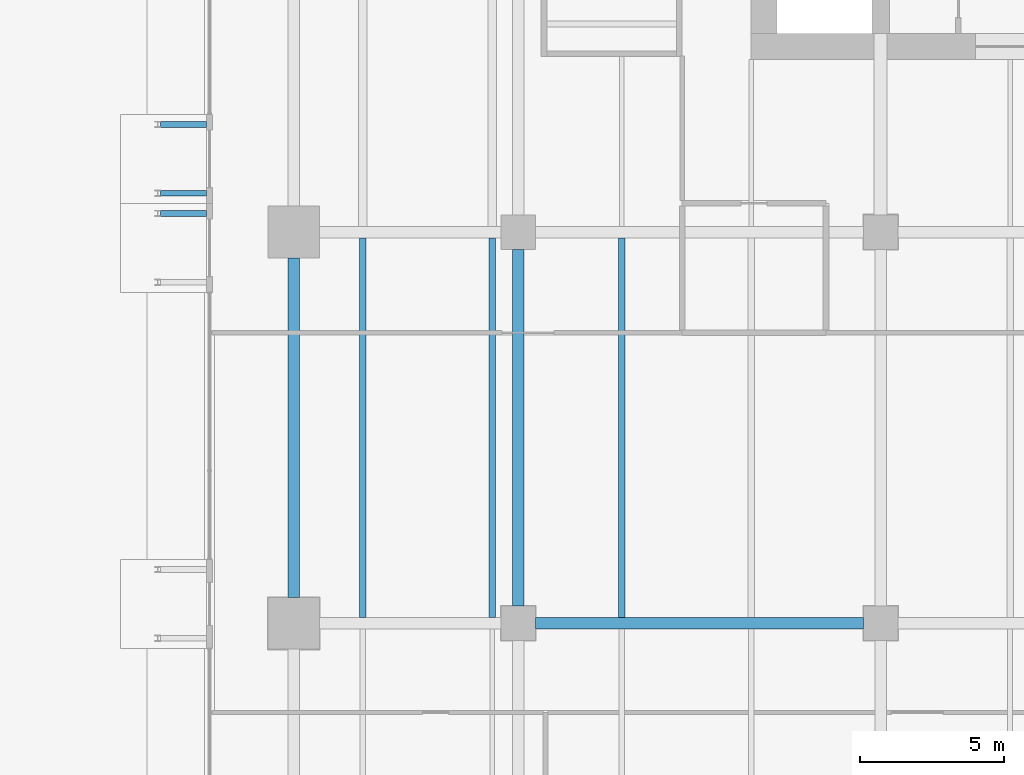
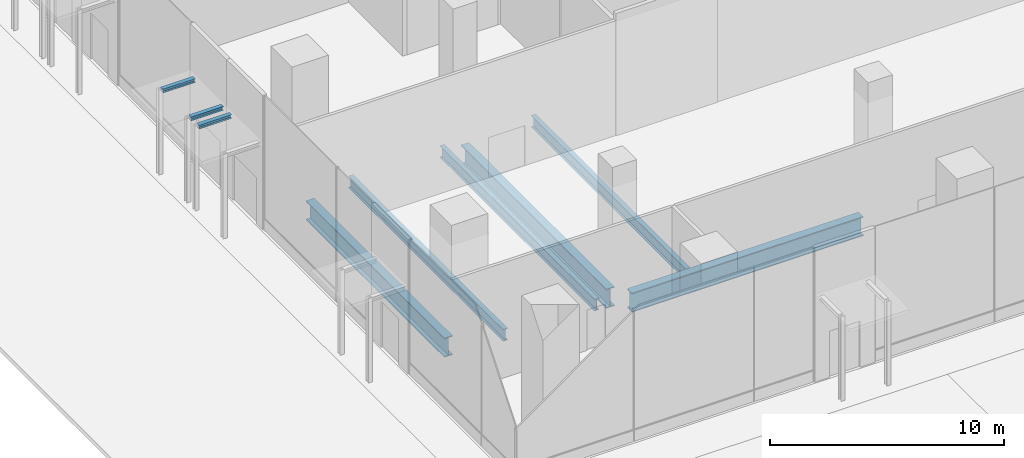
# One storey, part 15 of 41: 9 beams.
"""IFC4 building model written with IfcOpenShell, lengths in metres."""

from ifc_helpers import new_model, si_unit, direction, frame, origin, origin_2d, place, context, subcontext, project, spatial, i_section, extrude, material, material_profile, profile_set, type_object, element, save


model = new_model("IFC4")

# Units and contexts
model_context = context("Model", 3, precision=1e-05, world=origin(), true_north=direction((0.0, 1.0)))
body_context = subcontext(model_context, "Body", "Model", "MODEL_VIEW")
ifc_project = project(units=[si_unit("LENGTHUNIT", "METRE"), si_unit("AREAUNIT", "SQUARE_METRE"), si_unit("VOLUMEUNIT", "CUBIC_METRE"), si_unit("PLANEANGLEUNIT", "RADIAN"), si_unit("MASSUNIT", "GRAM", prefix="KILO")], contexts=[model_context])

# Site, building, storey
site_placement = place(None, origin())
site = spatial("IfcSite", under=ifc_project, at=site_placement, CompositionType="ELEMENT")
building_placement = place(site_placement, origin())
building = spatial("IfcBuilding", under=site, at=building_placement, Name="Rattan Terrace Tower", CompositionType="ELEMENT")
storey_placement = place(building_placement, origin())
storey = spatial("IfcBuildingStorey", under=building, at=storey_placement, Name="L00", CompositionType="ELEMENT", Elevation=0.0)

# Beams
ifc_material_1 = material(Name="Structural steel S355", Category="steel")
ifc_material_profile_1 = material_profile(ifc_material_1, i_section(OverallWidth=0.199951171875, OverallDepth=0.199951171875, WebThickness=0.009033203125, FlangeThickness=0.014892578125, FilletRadius=0.01806640625, at=origin_2d()), Name="HE 200 B")
ifc_profile_set_1 = profile_set([ifc_material_profile_1], Name="Structural steel S355")
beam_type_1 = type_object("IfcBeamType", Name="Canopy beam HE 200 B", PredefinedType="BEAM", material=ifc_profile_set_1)
for number, where, z_axis, x_axis, name in (
    (1, (-36.929931640625, -9.758056640625, 4.300048828125), (-1.0, 0.0, 0.0), (0.0, -1.0, 0.0), "Canopy beam 031a"),
    (2, (-36.929931640625, -12.152099609375, 4.300048828125), (-1.0, 0.0, 0.0), (0.0, -1.0, 0.0), "Canopy beam 031b"),
    (3, (-36.929931640625, -12.85205078125, 4.300048828125), (-1.0, 0.0, 0.0), (0.0, -1.0, 0.0), "Canopy beam 036a"),
):
    element("IfcBeam", number, at=place(storey_placement, frame(where, z_axis=z_axis, x_axis=x_axis)), inside=storey, type_object=beam_type_1, Name=name, PredefinedType="BEAM", context=body_context, shape_type="SweptSolid", body=[
        extrude(i_section(OverallWidth=0.199951171875, OverallDepth=0.199951171875, WebThickness=0.009033203125, FlangeThickness=0.014892578125, FilletRadius=0.01806640625, at=origin_2d()), origin(), (0.0, 0.0, 1.0), 1.60009765625),
    ])
ifc_material_2 = material(Name="Steel S355", Category="steel")
ifc_material_profile_2 = material_profile(ifc_material_2, i_section(OverallWidth=0.22412109375, OverallDepth=0.610107421875, WebThickness=0.014892578125, FlangeThickness=0.02392578125, FilletRadius=0.02392578125, at=origin_2d()), Name="IPE O 600")
ifc_profile_set_2 = profile_set([ifc_material_profile_2], Name="Steel S355")
beam_type_2 = type_object("IfcBeamType", Name="Frame floor beam IPE O 600", PredefinedType="JOIST", material=ifc_profile_set_2)
for number, where, z_axis, x_axis, name in (
    (4, (-31.5, -26.89990234375, -0.5048828125), (0.0, 1.0, 0.0), (-1.0, 0.0, 0.0), "bm-L00-015"),
    (5, (-27.0, -26.89990234375, -0.5048828125), (0.0, 1.0, 0.0), (-1.0, 0.0, 0.0), "bm-L00-016"),
    (6, (-22.5, -26.89990234375, -0.5048828125), (0.0, 1.0, 0.0), (-1.0, 0.0, 0.0), "bm-L00-017"),
):
    element("IfcBeam", number, at=place(storey_placement, frame(where, z_axis=z_axis, x_axis=x_axis)), inside=storey, type_object=beam_type_2, Name=name, PredefinedType="JOIST", context=body_context, shape_type="SweptSolid", body=[
        extrude(i_section(OverallWidth=0.22412109375, OverallDepth=0.610107421875, WebThickness=0.014892578125, FlangeThickness=0.02392578125, FilletRadius=0.02392578125, at=origin_2d()), origin(), (0.0, 0.0, 1.0), 13.199951171875),
    ])
ifc_material_3 = material(Name="Steel S460", Category="steel")
ifc_material_profile_3 = material_profile(ifc_material_3, i_section(OverallWidth=0.39990234375, OverallDepth=1.0, WebThickness=0.01806640625, FlangeThickness=0.044921875, at=origin_2d()), Name="PG 1000x400-18-45")
ifc_profile_set_3 = profile_set([ifc_material_profile_3], Name="Steel S460")
beam_type_3 = type_object("IfcBeamType", Name="Frame podium girder PG 1000x400-18-45", PredefinedType="USERDEFINED", material=ifc_profile_set_3)
beam_1_placement = place(storey_placement, frame((-25.5, -27.10009765625, -0.699951171875), z_axis=(1.0, 0.0, 0.0), x_axis=(0.0, 1.0, 0.0)))
element("IfcBeam", 7, at=beam_1_placement, inside=storey, type_object=beam_type_3, Name="gdr-L00-015", ObjectType="PODIUM GIRDER", PredefinedType="USERDEFINED", context=body_context, shape_type="SweptSolid", body=[
    extrude(i_section(OverallWidth=0.39990234375, OverallDepth=1.0, WebThickness=0.01806640625, FlangeThickness=0.044921875, at=origin_2d()), origin(), (0.0, 0.0, 1.0), 11.39990234375),
])
beam_2_placement = place(storey_placement, frame((-26.10009765625, -26.5, -0.699951171875), z_axis=(0.0, 1.0, 0.0), x_axis=(-1.0, 0.0, 0.0)))
element("IfcBeam", 8, at=beam_2_placement, inside=storey, type_object=beam_type_3, Name="gdr-L00-020", ObjectType="PODIUM GIRDER", PredefinedType="USERDEFINED", context=body_context, shape_type="SweptSolid", body=[
    extrude(i_section(OverallWidth=0.39990234375, OverallDepth=1.0, WebThickness=0.01806640625, FlangeThickness=0.044921875, at=origin_2d()), origin(), (0.0, 0.0, 1.0), 12.39990234375),
])
beam_3_placement = place(storey_placement, frame((-33.89990234375, -26.199951171875, -0.699951171875), z_axis=(0.0, 1.0, 0.0), x_axis=(-1.0, 0.0, 0.0)))
element("IfcBeam", 9, at=beam_3_placement, inside=storey, type_object=beam_type_3, Name="gdr-L00-025", ObjectType="PODIUM GIRDER", PredefinedType="USERDEFINED", context=body_context, shape_type="SweptSolid", body=[
    extrude(i_section(OverallWidth=0.39990234375, OverallDepth=1.0, WebThickness=0.01806640625, FlangeThickness=0.044921875, at=origin_2d()), origin(), (0.0, 0.0, 1.0), 11.800048828125),
])

save(model, "model.ifc")
